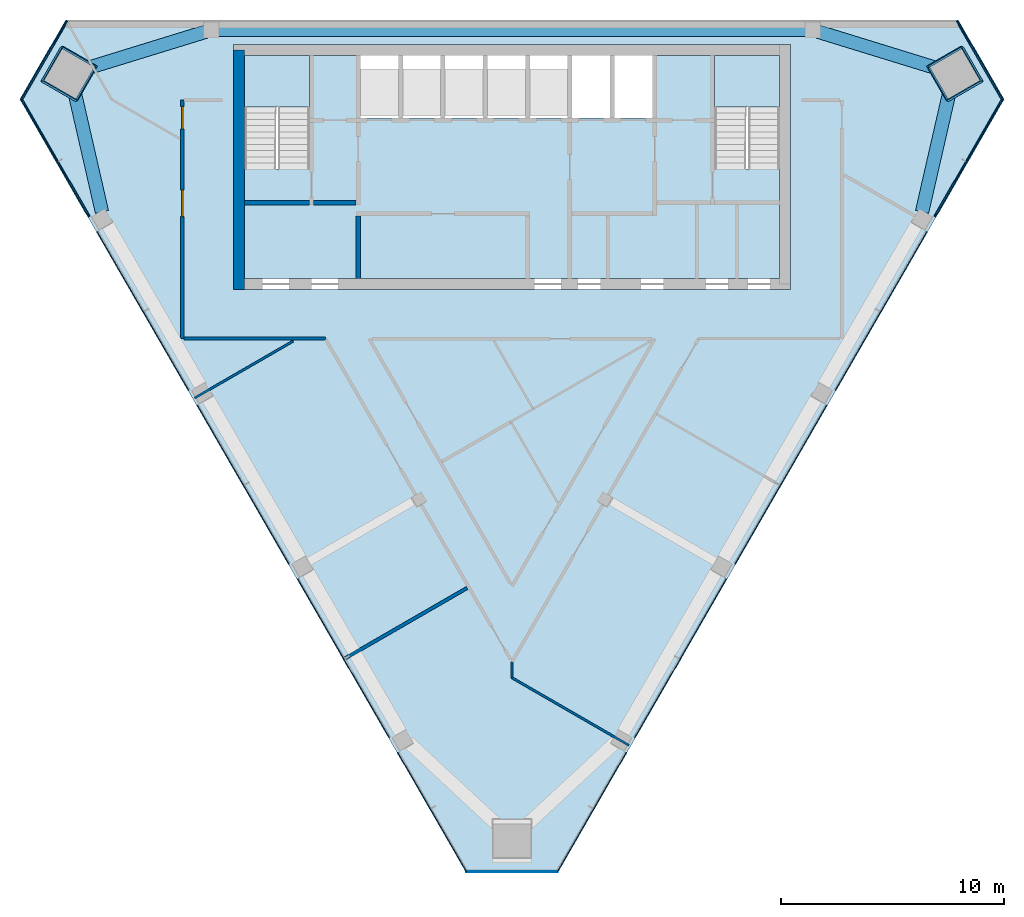
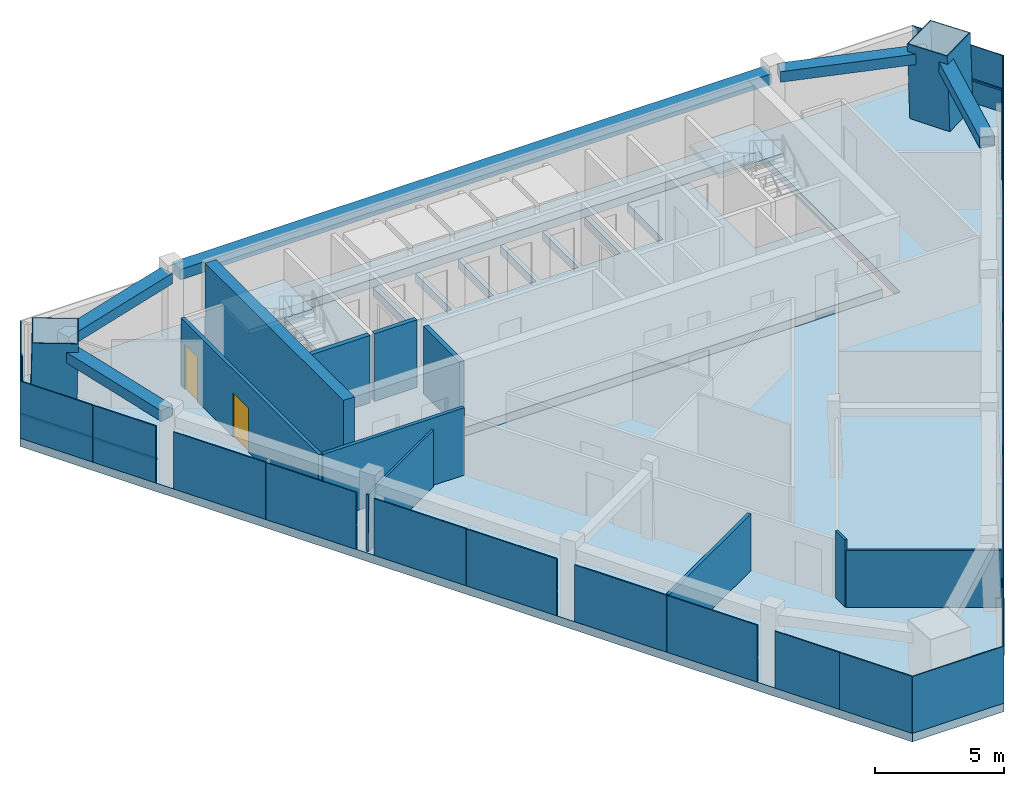
# One storey, part 5 of 9: 23 plates, 10 walls, 6 members, 5 beams, 4 slabs, 2 doors, 2 openings, 7 elements without a shape of their own.
"""IFC4 building model written with IfcOpenShell, lengths in metres."""

from ifc_helpers import new_model, si_unit, direction, frame, frame_2d, origin, origin_2d, place, context, subcontext, project, spatial, polyline, rectangle, hollow_rectangle, outline, extrude, material, layer, layer_set, material_profile, profile_set, type_object, element, fill, aggregate, save


model = new_model("IFC4")

# Units and contexts
model_context = context("Model", 3, precision=1e-05, world=origin(), true_north=direction((0.0, 1.0)))
body_context = subcontext(model_context, "Body", "Model", "MODEL_VIEW")
ifc_project = project(units=[si_unit("LENGTHUNIT", "METRE"), si_unit("AREAUNIT", "SQUARE_METRE"), si_unit("VOLUMEUNIT", "CUBIC_METRE"), si_unit("PLANEANGLEUNIT", "RADIAN"), si_unit("MASSUNIT", "GRAM", prefix="KILO")], contexts=[model_context])

# Site, building, storey
site_placement = place(None, origin())
site = spatial("IfcSite", under=ifc_project, at=site_placement, CompositionType="ELEMENT")
building_placement = place(site_placement, origin())
building = spatial("IfcBuilding", under=site, at=building_placement, Name="Altiplano Prism Tower", CompositionType="ELEMENT")
storey_placement = place(building_placement, frame((0.0, 0.0, 302.199951171875)))
storey = spatial("IfcBuildingStorey", under=building, at=storey_placement, Name="L78", CompositionType="ELEMENT", Elevation=302.199951171875)

# Curtain wall, member
ifc_material_1 = material(Name="Aluminium and glass", Category="aluminium")
ifc_layer_1 = layer(ifc_material_1, 0.303955078125)
ifc_layer_set_1 = layer_set([ifc_layer_1], Name="Aluminium and glass")
curtain_wall_type = type_object("IfcCurtainWallType", Name="CW2 lounge-band unitised glazing", PredefinedType="NOTDEFINED", material=ifc_layer_set_1)
curtain_wall_1_placement = place(storey_placement, origin())
curtain_wall_1 = element("IfcCurtainWall", 1, at=curtain_wall_1_placement, inside=storey, type_object=curtain_wall_type, Name="CW2 curtain wall north-west chamfer L78", PredefinedType="NOTDEFINED")
ifc_material_2 = material(Name="Aluminium", Category="aluminium")
ifc_material_profile_1 = material_profile(ifc_material_2, rectangle(XDim=0.06005859375, YDim=0.080078125, at=origin_2d()), Name="CW2 transom 80 x 60")
ifc_profile_set_1 = profile_set([ifc_material_profile_1], Name="Aluminium")
member_type_1 = type_object("IfcMemberType", Name="CW2 transom 80 x 60", PredefinedType="USERDEFINED", material=ifc_profile_set_1)
member_1_placement = place(storey_placement, frame((65.03662109375, 104.962890625, 1.10009765625), z_axis=(-0.500030520673, -0.866007781949, 0.0), x_axis=(0.866007781949, -0.500030520673, 0.0)))
member_1 = element("IfcMember", 2, at=member_1_placement, type_object=member_type_1, Name="CW2 transom", ObjectType="TRANSOM", PredefinedType="USERDEFINED", context=body_context, shape_type="SweptSolid", body=[
    extrude(rectangle(XDim=0.06005859375, YDim=0.080078125, at=origin_2d()), origin(), (0.0, 0.0, 1.0), 4.115966796875),
])

curtain_wall_2_placement = place(storey_placement, origin())
curtain_wall_2 = element("IfcCurtainWall", 3, at=curtain_wall_2_placement, inside=storey, type_object=curtain_wall_type, Name="CW2 curtain wall south-west face L78", PredefinedType="NOTDEFINED")
member_2_placement = place(storey_placement, frame((62.978515625, 101.472412109375, 1.10009765625), z_axis=(0.500010098872, -0.86601957312, 0.0), x_axis=(0.86601957312, 0.500010098872, 0.0)))
member_2 = element("IfcMember", 4, at=member_2_placement, type_object=member_type_1, Name="CW2 transom", ObjectType="TRANSOM", PredefinedType="USERDEFINED", context=body_context, shape_type="SweptSolid", body=[
    extrude(rectangle(XDim=0.06005859375, YDim=0.080078125, at=origin_2d()), origin(), (0.0, 0.0, 1.0), 6.097900390625),
])

curtain_wall_3_placement = place(storey_placement, origin())
curtain_wall_3 = element("IfcCurtainWall", 5, at=curtain_wall_3_placement, inside=storey, type_object=curtain_wall_type, Name="CW2 curtain wall south-east face L78", PredefinedType="NOTDEFINED")
member_3_placement = place(storey_placement, frame((103.972412109375, 96.19140625, 1.10009765625), z_axis=(0.500010098872, 0.86601957312, 0.0), x_axis=(-0.86601957312, 0.500010098872, 0.0)))
member_3 = element("IfcMember", 6, at=member_3_placement, type_object=member_type_1, Name="CW2 transom", ObjectType="TRANSOM", PredefinedType="USERDEFINED", context=body_context, shape_type="SweptSolid", body=[
    extrude(rectangle(XDim=0.06005859375, YDim=0.080078125, at=origin_2d()), origin(), (0.0, 0.0, 1.0), 6.097900390625),
])

curtain_wall_4_placement = place(storey_placement, origin())
curtain_wall_4 = element("IfcCurtainWall", 7, at=curtain_wall_4_placement, inside=storey, type_object=curtain_wall_type, Name="CW2 curtain wall north-east chamfer L78", PredefinedType="NOTDEFINED")
member_4_placement = place(storey_placement, frame((107.021484375, 101.3984375, 1.10009765625), z_axis=(-0.500030520673, 0.866007781949, 0.0), x_axis=(-0.866007781949, -0.500030520673, 0.0)))
member_4 = element("IfcMember", 8, at=member_4_placement, type_object=member_type_1, Name="CW2 transom", ObjectType="TRANSOM", PredefinedType="USERDEFINED", context=body_context, shape_type="SweptSolid", body=[
    extrude(rectangle(XDim=0.06005859375, YDim=0.080078125, at=origin_2d()), origin(), (0.0, 0.0, 1.0), 4.115966796875),
])

# Beams
ifc_material_3 = material(Name="Concrete C60/75", Category="concrete")
ifc_material_profile_2 = material_profile(ifc_material_3, rectangle(XDim=0.60009765625, YDim=0.5, at=origin_2d()), Name="Edge beam 600x500")
ifc_profile_set_2 = profile_set([ifc_material_profile_2], Name="Concrete C60/75")
beam_type = type_object("IfcBeamType", Name="Edge beam 600x500", PredefinedType="SPANDREL", material=ifc_profile_set_2)
for number, where, z_axis, x_axis, name in (
    (9, (103.406982421875, 96.385986328125, 2.949951171875), (0.222942267812, 0.974831649683, 0.0), (-0.974831649683, 0.222942267812, 0.0), "Edge beam P24-M2 L79"),
    (10, (104.3984375, 102.7333984375, 2.949951171875), (-0.955700581331, 0.294340617047, 0.0), (-0.294340617047, -0.955700581331, 0.0), "Edge beam M2-P01 L79"),
):
    element("IfcBeam", number, at=place(storey_placement, frame(where, z_axis=z_axis, x_axis=x_axis)), inside=storey, type_object=beam_type, Name=name, PredefinedType="SPANDREL", context=body_context, shape_type="SweptSolid", body=[
        extrude(rectangle(XDim=0.60009765625, YDim=0.5, at=origin_2d()), origin(), (0.0, 0.0, 1.0), 5.925537109375),
    ])
beam_placement = place(storey_placement, frame((98.27001953125, 104.550048828125, 2.949951171875), z_axis=(-1.0, 0.0, 0.0), x_axis=(0.0, -1.0, 0.0)))
element("IfcBeam", 11, at=beam_placement, inside=storey, type_object=beam_type, Name="Edge beam P01-P04 L79", PredefinedType="SPANDREL", context=body_context, shape_type="SweptSolid", body=[
    extrude(rectangle(XDim=0.60009765625, YDim=0.5, at=origin_2d()), origin(), (0.0, 0.0, 1.0), 26.5400390625),
])
for number, where, z_axis, x_axis, name in (
    (12, (71.2646484375, 104.4775390625, 2.949951171875), (-0.955700581331, -0.294340617047, 0.0), (0.294340617047, -0.955700581331, 0.0), "Edge beam P04-M0 L79"),
    (13, (65.27197265625, 102.162353515625, 2.949951171875), (0.222942267812, -0.974831649683, 0.0), (0.974831649683, 0.222942267812, 0.0), "Edge beam M0-P11 L79"),
):
    element("IfcBeam", number, at=place(storey_placement, frame(where, z_axis=z_axis, x_axis=x_axis)), inside=storey, type_object=beam_type, Name=name, PredefinedType="SPANDREL", context=body_context, shape_type="SweptSolid", body=[
        extrude(rectangle(XDim=0.60009765625, YDim=0.5, at=origin_2d()), origin(), (0.0, 0.0, 1.0), 5.925537109375),
    ])

# Members
ifc_material_4 = material(Name="Steel S460", Category="steel")
ifc_material_profile_3 = material_profile(ifc_material_4, hollow_rectangle(XDim=1.800048828125, YDim=1.800048828125, WallThickness=0.0400390625, at=origin_2d()), Name="Mega column tube 1800")
ifc_profile_set_3 = profile_set([ifc_material_profile_3], Name="Steel S460")
member_type_2 = type_object("IfcMemberType", Name="Mega column tube 1800", PredefinedType="POST", material=ifc_profile_set_3)
for number, where, z_axis, x_axis, name in (
    (14, (65.0693359375, 102.567626953125, 0.0), (0.028401796786, 0.009286506348, 0.999553449666), (-0.866200496686, 0.499297251293, 0.019973842716), "Mega column tube M0 L78"),
    (15, (104.9306640625, 102.567626953125, 0.0), (-0.028401796786, 0.009286506348, 0.999553449666), (0.498888802721, -0.866380987586, 0.022224915478), "Mega column tube M2 L78"),
):
    element("IfcMember", number, at=place(storey_placement, frame(where, z_axis=z_axis, x_axis=x_axis)), inside=storey, type_object=member_type_2, Name=name, PredefinedType="POST", context=body_context, shape_type="SweptSolid", body=[
        extrude(hollow_rectangle(XDim=1.800048828125, YDim=1.800048828125, WallThickness=0.0400390625, at=origin_2d()), origin(), (0.0, 0.0, 1.0), 3.601806640625),
    ])

# Plate
ifc_material_5 = material(Name="Clear glass", Category="glass")
ifc_layer_2 = layer(ifc_material_5, 0.0439453125)
ifc_layer_set_2 = layer_set([ifc_layer_2], Name="Clear glass")
plate_type = type_object("IfcPlateType", Name="CW2 insulated glass unit 44", PredefinedType="CURTAIN_PANEL", material=ifc_layer_set_2)
plate_1_placement = place(storey_placement, frame((63.962646484375, 103.206787109375, 0.0), z_axis=(0.0, 0.0, 1.0), x_axis=(-0.499999970511, -0.86602542081, 0.0)))
plate_1 = element("IfcPlate", 16, at=plate_1_placement, type_object=plate_type, Name="CW2 panel", PredefinedType="CURTAIN_PANEL", context=body_context, shape_type="SweptSolid", body=[
    extrude(rectangle(XDim=4.10595703125, YDim=0.0439453125, at=origin_2d()), origin(), (0.0, 0.0, 1.0), 2.699951171875),
])

aggregate(curtain_wall_1, [member_1, plate_1])

plate_2_placement = place(storey_placement, frame((63.74951171875, 100.033203125, 0.0), z_axis=(0.0, 0.0, 1.0), x_axis=(0.500000005577, -0.866025400564, 0.0)))
plate_2 = element("IfcPlate", 17, at=plate_2_placement, type_object=plate_type, Name="CW2 panel", PredefinedType="CURTAIN_PANEL", context=body_context, shape_type="SweptSolid", body=[
    extrude(rectangle(XDim=3.253662109375, YDim=0.0439453125, at=origin_2d()), origin(), (0.0, 0.0, 1.0), 2.699951171875),
])

plate_3_placement = place(storey_placement, frame((65.27392578125, 97.392578125, 0.0), z_axis=(0.0, 0.0, 1.0), x_axis=(0.500000005577, -0.866025400564, 0.0)))
plate_3 = element("IfcPlate", 18, at=plate_3_placement, type_object=plate_type, Name="CW2 panel", PredefinedType="CURTAIN_PANEL", context=body_context, shape_type="SweptSolid", body=[
    extrude(rectangle(XDim=2.82421875, YDim=0.0439453125, at=origin_2d()), origin(), (0.0, 0.0, 1.0), 2.699951171875),
])

plate_4_placement = place(storey_placement, frame((67.409912109375, 93.693115234375, 0.0), z_axis=(0.0, 0.0, 1.0), x_axis=(0.500000005577, -0.866025400564, 0.0)))
plate_4 = element("IfcPlate", 19, at=plate_4_placement, type_object=plate_type, Name="CW2 panel", PredefinedType="CURTAIN_PANEL", context=body_context, shape_type="SweptSolid", body=[
    extrude(rectangle(XDim=4.139404296875, YDim=0.0439453125, at=origin_2d()), origin(), (0.0, 0.0, 1.0), 2.699951171875),
])

plate_5_placement = place(storey_placement, frame((69.46484375, 90.1337890625, 0.0), z_axis=(0.0, 0.0, 1.0), x_axis=(0.500000005577, -0.866025400564, 0.0)))
plate_5 = element("IfcPlate", 20, at=plate_5_placement, type_object=plate_type, Name="CW2 panel", PredefinedType="CURTAIN_PANEL", context=body_context, shape_type="SweptSolid", body=[
    extrude(rectangle(XDim=4.060302734375, YDim=0.0439453125, at=origin_2d()), origin(), (0.0, 0.0, 1.0), 2.699951171875),
])

plate_6_placement = place(storey_placement, frame((71.909912109375, 85.89892578125, 0.0), z_axis=(0.0, 0.0, 1.0), x_axis=(0.500000005577, -0.866025400564, 0.0)))
plate_6 = element("IfcPlate", 21, at=plate_6_placement, type_object=plate_type, Name="CW2 panel", PredefinedType="CURTAIN_PANEL", context=body_context, shape_type="SweptSolid", body=[
    extrude(rectangle(XDim=4.139404296875, YDim=0.0439453125, at=origin_2d()), origin(), (0.0, 0.0, 1.0), 2.699951171875),
])

plate_7_placement = place(storey_placement, frame((73.96484375, 82.339599609375, 0.0), z_axis=(0.0, 0.0, 1.0), x_axis=(0.500000005577, -0.866025400564, 0.0)))
plate_7 = element("IfcPlate", 22, at=plate_7_placement, type_object=plate_type, Name="CW2 panel", PredefinedType="CURTAIN_PANEL", context=body_context, shape_type="SweptSolid", body=[
    extrude(rectangle(XDim=4.060302734375, YDim=0.0439453125, at=origin_2d()), origin(), (0.0, 0.0, 1.0), 2.699951171875),
])

plate_8_placement = place(storey_placement, frame((76.409912109375, 78.104736328125, 0.0), z_axis=(0.0, 0.0, 1.0), x_axis=(0.500000005577, -0.866025400564, 0.0)))
plate_8 = element("IfcPlate", 23, at=plate_8_placement, type_object=plate_type, Name="CW2 panel", PredefinedType="CURTAIN_PANEL", context=body_context, shape_type="SweptSolid", body=[
    extrude(rectangle(XDim=4.139404296875, YDim=0.0439453125, at=origin_2d()), origin(), (0.0, 0.0, 1.0), 2.699951171875),
])

plate_9_placement = place(storey_placement, frame((78.46484375, 74.54541015625, 0.0), z_axis=(0.0, 0.0, 1.0), x_axis=(0.500000005577, -0.866025400564, 0.0)))
plate_9 = element("IfcPlate", 24, at=plate_9_placement, type_object=plate_type, Name="CW2 panel", PredefinedType="CURTAIN_PANEL", context=body_context, shape_type="SweptSolid", body=[
    extrude(rectangle(XDim=4.060302734375, YDim=0.0439453125, at=origin_2d()), origin(), (0.0, 0.0, 1.0), 2.699951171875),
])

plate_10_placement = place(storey_placement, frame((80.600830078125, 70.845703125, 0.0), z_axis=(0.0, 0.0, 1.0), x_axis=(0.500000005577, -0.866025400564, 0.0)))
plate_10 = element("IfcPlate", 25, at=plate_10_placement, type_object=plate_type, Name="CW2 panel", PredefinedType="CURTAIN_PANEL", context=body_context, shape_type="SweptSolid", body=[
    extrude(rectangle(XDim=2.9033203125, YDim=0.0439453125, at=origin_2d()), origin(), (0.0, 0.0, 1.0), 2.699951171875),
])

plate_11_placement = place(storey_placement, frame((82.14501953125, 68.1708984375, 0.0), z_axis=(0.0, 0.0, 1.0), x_axis=(0.500000005577, -0.866025400564, 0.0)))
plate_11 = element("IfcPlate", 26, at=plate_11_placement, type_object=plate_type, Name="CW2 panel", PredefinedType="CURTAIN_PANEL", context=body_context, shape_type="SweptSolid", body=[
    extrude(rectangle(XDim=3.253662109375, YDim=0.0439453125, at=origin_2d()), origin(), (0.0, 0.0, 1.0), 2.699951171875),
])

aggregate(curtain_wall_2, [member_2, plate_2, plate_3, plate_4, plate_5, plate_6, plate_7, plate_8, plate_9, plate_10, plate_11])

# Curtain wall, plate
curtain_wall_5_placement = place(storey_placement, origin())
curtain_wall_5 = element("IfcCurtainWall", 27, at=curtain_wall_5_placement, inside=storey, type_object=curtain_wall_type, Name="CW2 curtain wall south chamfer L78", PredefinedType="NOTDEFINED")
plate_12_placement = place(storey_placement, frame((85.0, 66.768798828125, 0.0), z_axis=(0.0, 0.0, 1.0), x_axis=(1.0, 0.0, 0.0)))
plate_12 = element("IfcPlate", 28, at=plate_12_placement, type_object=plate_type, Name="CW2 panel", PredefinedType="CURTAIN_PANEL", context=body_context, shape_type="SweptSolid", body=[
    extrude(rectangle(XDim=4.10595703125, YDim=0.0439453125, at=origin_2d()), origin(), (0.0, 0.0, 1.0), 2.699951171875),
])
aggregate(curtain_wall_5, [plate_12])

# Plate
plate_13_placement = place(storey_placement, frame((87.85498046875, 68.1708984375, 0.0), z_axis=(0.0, 0.0, 1.0), x_axis=(0.500000005577, 0.866025400564, 0.0)))
plate_13 = element("IfcPlate", 29, at=plate_13_placement, type_object=plate_type, Name="CW2 panel", PredefinedType="CURTAIN_PANEL", context=body_context, shape_type="SweptSolid", body=[
    extrude(rectangle(XDim=3.253662109375, YDim=0.0439453125, at=origin_2d()), origin(), (0.0, 0.0, 1.0), 2.699951171875),
])

plate_14_placement = place(storey_placement, frame((89.399169921875, 70.845703125, 0.0), z_axis=(0.0, 0.0, 1.0), x_axis=(0.500000005577, 0.866025400564, 0.0)))
plate_14 = element("IfcPlate", 30, at=plate_14_placement, type_object=plate_type, Name="CW2 panel", PredefinedType="CURTAIN_PANEL", context=body_context, shape_type="SweptSolid", body=[
    extrude(rectangle(XDim=2.9033203125, YDim=0.0439453125, at=origin_2d()), origin(), (0.0, 0.0, 1.0), 2.699951171875),
])

plate_15_placement = place(storey_placement, frame((91.53515625, 74.54541015625, 0.0), z_axis=(0.0, 0.0, 1.0), x_axis=(0.500000005577, 0.866025400564, 0.0)))
plate_15 = element("IfcPlate", 31, at=plate_15_placement, type_object=plate_type, Name="CW2 panel", PredefinedType="CURTAIN_PANEL", context=body_context, shape_type="SweptSolid", body=[
    extrude(rectangle(XDim=4.060302734375, YDim=0.0439453125, at=origin_2d()), origin(), (0.0, 0.0, 1.0), 2.699951171875),
])

plate_16_placement = place(storey_placement, frame((93.590087890625, 78.104736328125, 0.0), z_axis=(0.0, 0.0, 1.0), x_axis=(0.500000005577, 0.866025400564, 0.0)))
plate_16 = element("IfcPlate", 32, at=plate_16_placement, type_object=plate_type, Name="CW2 panel", PredefinedType="CURTAIN_PANEL", context=body_context, shape_type="SweptSolid", body=[
    extrude(rectangle(XDim=4.139404296875, YDim=0.0439453125, at=origin_2d()), origin(), (0.0, 0.0, 1.0), 2.699951171875),
])

plate_17_placement = place(storey_placement, frame((96.03515625, 82.339599609375, 0.0), z_axis=(0.0, 0.0, 1.0), x_axis=(0.500000005577, 0.866025400564, 0.0)))
plate_17 = element("IfcPlate", 33, at=plate_17_placement, type_object=plate_type, Name="CW2 panel", PredefinedType="CURTAIN_PANEL", context=body_context, shape_type="SweptSolid", body=[
    extrude(rectangle(XDim=4.060302734375, YDim=0.0439453125, at=origin_2d()), origin(), (0.0, 0.0, 1.0), 2.699951171875),
])

plate_18_placement = place(storey_placement, frame((98.090087890625, 85.89892578125, 0.0), z_axis=(0.0, 0.0, 1.0), x_axis=(0.500000005577, 0.866025400564, 0.0)))
plate_18 = element("IfcPlate", 34, at=plate_18_placement, type_object=plate_type, Name="CW2 panel", PredefinedType="CURTAIN_PANEL", context=body_context, shape_type="SweptSolid", body=[
    extrude(rectangle(XDim=4.139404296875, YDim=0.0439453125, at=origin_2d()), origin(), (0.0, 0.0, 1.0), 2.699951171875),
])

plate_19_placement = place(storey_placement, frame((100.53515625, 90.1337890625, 0.0), z_axis=(0.0, 0.0, 1.0), x_axis=(0.500000005577, 0.866025400564, 0.0)))
plate_19 = element("IfcPlate", 35, at=plate_19_placement, type_object=plate_type, Name="CW2 panel", PredefinedType="CURTAIN_PANEL", context=body_context, shape_type="SweptSolid", body=[
    extrude(rectangle(XDim=4.060302734375, YDim=0.0439453125, at=origin_2d()), origin(), (0.0, 0.0, 1.0), 2.699951171875),
])

plate_20_placement = place(storey_placement, frame((102.590087890625, 93.693115234375, 0.0), z_axis=(0.0, 0.0, 1.0), x_axis=(0.500000005577, 0.866025400564, 0.0)))
plate_20 = element("IfcPlate", 36, at=plate_20_placement, type_object=plate_type, Name="CW2 panel", PredefinedType="CURTAIN_PANEL", context=body_context, shape_type="SweptSolid", body=[
    extrude(rectangle(XDim=4.139404296875, YDim=0.0439453125, at=origin_2d()), origin(), (0.0, 0.0, 1.0), 2.699951171875),
])

plate_21_placement = place(storey_placement, frame((104.72607421875, 97.392578125, 0.0), z_axis=(0.0, 0.0, 1.0), x_axis=(0.500000005577, 0.866025400564, 0.0)))
plate_21 = element("IfcPlate", 37, at=plate_21_placement, type_object=plate_type, Name="CW2 panel", PredefinedType="CURTAIN_PANEL", context=body_context, shape_type="SweptSolid", body=[
    extrude(rectangle(XDim=2.82421875, YDim=0.0439453125, at=origin_2d()), origin(), (0.0, 0.0, 1.0), 2.699951171875),
])

plate_22_placement = place(storey_placement, frame((106.25048828125, 100.033203125, 0.0), z_axis=(0.0, 0.0, 1.0), x_axis=(0.500000005577, 0.866025400564, 0.0)))
plate_22 = element("IfcPlate", 38, at=plate_22_placement, type_object=plate_type, Name="CW2 panel", PredefinedType="CURTAIN_PANEL", context=body_context, shape_type="SweptSolid", body=[
    extrude(rectangle(XDim=3.253662109375, YDim=0.0439453125, at=origin_2d()), origin(), (0.0, 0.0, 1.0), 2.699951171875),
])

aggregate(curtain_wall_3, [plate_13, plate_14, plate_15, plate_16, plate_17, plate_18, plate_19, plate_20, member_3, plate_21, plate_22])

plate_23_placement = place(storey_placement, frame((106.037353515625, 103.206787109375, 0.0), z_axis=(0.0, 0.0, 1.0), x_axis=(-0.499999970511, 0.86602542081, 0.0)))
plate_23 = element("IfcPlate", 39, at=plate_23_placement, type_object=plate_type, Name="CW2 panel", PredefinedType="CURTAIN_PANEL", context=body_context, shape_type="SweptSolid", body=[
    extrude(rectangle(XDim=4.10595703125, YDim=0.0439453125, at=origin_2d()), origin(), (0.0, 0.0, 1.0), 2.699951171875),
])

aggregate(curtain_wall_4, [member_4, plate_23])

# Slabs
ifc_material_6 = material(Name="Concrete C40/50", Category="concrete")
ifc_layer_3 = layer(ifc_material_6, 0.39990234375)
ifc_layer_set_3 = layer_set([ifc_layer_3], Name="Concrete C40/50")
slab_type_1 = type_object("IfcSlabType", Name="Core floor slab 400", PredefinedType="FLOOR", material=ifc_layer_set_3)
slab_1_placement = place(storey_placement, frame((0.0, 0.0, -0.39990234375)))
element("IfcSlab", 40, at=slab_1_placement, inside=storey, type_object=slab_type_1, Name="Core floor slab L78", PredefinedType="FLOOR", context=body_context, shape_type="SweptSolid", body=[
    extrude(outline(polyline([(97.0, 98.31005859375), (94.10009765625, 98.31005859375), (94.10009765625, 103.39990234375), (91.300048828125, 103.39990234375), (91.300048828125, 100.60009765625), (89.60009765625, 100.60009765625), (89.60009765625, 103.39990234375), (89.39990234375, 103.39990234375), (89.39990234375, 100.60009765625), (87.699951171875, 100.60009765625), (87.699951171875, 103.39990234375), (87.5, 103.39990234375), (87.5, 100.60009765625), (85.800048828125, 100.60009765625), (85.800048828125, 103.39990234375), (85.60009765625, 103.39990234375), (85.60009765625, 100.60009765625), (83.89990234375, 100.60009765625), (83.89990234375, 103.39990234375), (83.699951171875, 103.39990234375), (83.699951171875, 100.60009765625), (82.0, 100.60009765625), (82.0, 103.39990234375), (81.800048828125, 103.39990234375), (81.800048828125, 100.60009765625), (80.10009765625, 100.60009765625), (80.10009765625, 103.39990234375), (79.89990234375, 103.39990234375), (79.89990234375, 100.60009765625), (78.199951171875, 100.60009765625), (78.199951171875, 103.39990234375), (75.89990234375, 103.39990234375), (75.89990234375, 98.31005859375), (73.0, 98.31005859375), (73.0, 93.39990234375), (97.0, 93.39990234375), (97.0, 98.31005859375)])), origin(), (0.0, 0.0, 1.0), 0.39990234375),
])
ifc_layer_4 = layer(ifc_material_6, 0.39990234375)
ifc_layer_set_4 = layer_set([ifc_layer_4], Name="Concrete C40/50")
slab_type_2 = type_object("IfcSlabType", Name="Post-tensioned flat slab 400", PredefinedType="FLOOR", material=ifc_layer_set_4)
slab_2_placement = place(storey_placement, frame((0.0, 0.0, -0.39990234375)))
element("IfcSlab", 41, at=slab_2_placement, inside=storey, type_object=slab_type_2, Name="Floor slab L78", PredefinedType="FLOOR", context=body_context, shape_type="SweptSolid", body=[
    extrude(outline(polyline([(107.08544921875, 101.435302734375), (87.05810546875, 66.746826171875), (82.94189453125, 66.746826171875), (62.91455078125, 101.435302734375), (64.972412109375, 105.0), (105.027587890625, 105.0), (107.08544921875, 101.435302734375)]), holes=[polyline([(97.5, 92.89990234375), (97.5, 103.89990234375), (72.5, 103.89990234375), (72.5, 92.89990234375), (97.5, 92.89990234375)])]), origin(), (0.0, 0.0, 1.0), 0.39990234375),
])

# Stair, slab
stair_type = type_object("IfcStairType", Name="Exit stair 1400", PredefinedType="HALF_TURN_STAIR", material=ifc_material_6)
stair_1_placement = place(storey_placement, origin())
stair_1 = element("IfcStair", 42, at=stair_1_placement, inside=storey, type_object=stair_type, Name="L78 Exit Stair 1", PredefinedType="HALF_TURN_STAIR")
ifc_layer_5 = layer(ifc_material_6, 0.199951171875)
ifc_layer_set_5 = layer_set([ifc_layer_5], Name="Concrete C40/50")
slab_type_3 = type_object("IfcSlabType", Name="Stair landing 200", PredefinedType="LANDING", material=ifc_layer_set_5)
slab_3_placement = place(storey_placement, frame((0.0, 0.0, 1.60009765625)))
slab_3 = element("IfcSlab", 43, at=slab_3_placement, type_object=slab_type_3, Name="ST1 landing 1", PredefinedType="LANDING", context=body_context, shape_type="SweptSolid", body=[
    extrude(outline(polyline([(75.89990234375, 101.096923828125), (75.89990234375, 103.39990234375), (73.0, 103.39990234375), (73.0, 101.096923828125), (75.89990234375, 101.096923828125)])), origin(), (0.0, 0.0, 1.0), 0.199951171875),
])
aggregate(stair_1, [slab_3])

stair_2_placement = place(storey_placement, origin())
stair_2 = element("IfcStair", 44, at=stair_2_placement, inside=storey, type_object=stair_type, Name="L78 Exit Stair 2", PredefinedType="HALF_TURN_STAIR")
slab_4_placement = place(storey_placement, frame((0.0, 0.0, 1.60009765625)))
slab_4 = element("IfcSlab", 45, at=slab_4_placement, type_object=slab_type_3, Name="ST2 landing 1", PredefinedType="LANDING", context=body_context, shape_type="SweptSolid", body=[
    extrude(outline(polyline([(97.0, 101.096923828125), (97.0, 103.39990234375), (94.10009765625, 103.39990234375), (94.10009765625, 101.096923828125), (97.0, 101.096923828125)])), origin(), (0.0, 0.0, 1.0), 0.199951171875),
])
aggregate(stair_2, [slab_4])

# Walls
ifc_layer_6 = layer(ifc_material_3, 0.5)
ifc_layer_set_6 = layer_set([ifc_layer_6], Name="Concrete C60/75")
wall_type_1 = type_object("IfcWallType", Name="Core wall 500", PredefinedType="SHEAR", material=ifc_layer_set_6)
wall_1_placement = place(storey_placement, frame((72.75, 103.64990234375, 0.0), z_axis=(0.0, 0.0, 1.0), x_axis=(0.0, -1.0, 0.0)))
element("IfcWall", 46, at=wall_1_placement, inside=storey, type_object=wall_type_1, Name="Core wall W L78", PredefinedType="SHEAR", context=body_context, shape_type="SweptSolid", body=[
    extrude(rectangle(XDim=10.75, YDim=0.5, at=frame_2d((5.375, 0.0))), origin(), (0.0, 0.0, 1.0), 3.60009765625),
])
ifc_material_7 = material(Name="Plasterboard on steel stud", Category="steel")
ifc_layer_7 = layer(ifc_material_7, 0.10009765625)
ifc_layer_set_7 = layer_set([ifc_layer_7], Name="Plasterboard on steel stud")
wall_type_2 = type_object("IfcWallType", Name="Partition 100 wet", PredefinedType="PARTITIONING", material=ifc_layer_set_7)
wall_2_placement = place(storey_placement, frame((70.764892578125, 88.0380859375, 0.0), z_axis=(0.0, 0.0, 1.0), x_axis=(0.866010557596, 0.500025713471, 0.0)))
element("IfcWall", 47, at=wall_2_placement, inside=storey, type_object=wall_type_2, Name="Partition P03 L78 016", PredefinedType="PARTITIONING", context=body_context, shape_type="SweptSolid", body=[
    extrude(rectangle(XDim=5.087158203125, YDim=0.10009765625, at=frame_2d((2.54345703125, 0.0))), origin(), (0.0, 0.0, 1.0), 2.699951171875),
])
wall_3_placement = place(storey_placement, frame((90.235107421875, 72.44970703125, 0.0), z_axis=(0.0, 0.0, 1.0), x_axis=(-0.866027534236, 0.499996309931, 0.0)))
element("IfcWall", 48, at=wall_3_placement, inside=storey, type_object=wall_type_2, Name="Partition P03 L78 020", PredefinedType="PARTITIONING", context=body_context, shape_type="SweptSolid", body=[
    extrude(rectangle(XDim=6.044921875, YDim=0.10009765625, at=frame_2d((3.0224609375, 0.0))), origin(), (0.0, 0.0, 1.0), 2.699951171875),
])
wall_4_placement = place(storey_placement, frame((85.0, 75.47216796875, 0.0), z_axis=(0.0, 0.0, 1.0), x_axis=(0.0, 1.0, 0.0)))
element("IfcWall", 49, at=wall_4_placement, inside=storey, type_object=wall_type_2, Name="Partition P03 L78 021", PredefinedType="PARTITIONING", context=body_context, shape_type="SweptSolid", body=[
    extrude(rectangle(XDim=0.7099609375, YDim=0.10009765625, at=frame_2d((0.35498046875, 0.0))), origin(), (0.0, 0.0, 1.0), 3.199951171875),
])

# Wall, openings, doors
ifc_layer_8 = layer(ifc_material_7, 0.14990234375)
ifc_layer_set_8 = layer_set([ifc_layer_8], Name="Plasterboard on steel stud")
wall_type_3 = type_object("IfcWallType", Name="Partition 150 corridor", PredefinedType="PARTITIONING", material=ifc_layer_set_8)
wall_5_placement = place(storey_placement, frame((70.19921875, 101.400634765625, 0.0), z_axis=(0.0, 0.0, 1.0), x_axis=(6.844627e-05, -0.999999997658, 0.0)))
wall_5 = element("IfcWall", 50, at=wall_5_placement, inside=storey, type_object=wall_type_3, Name="Partition P06 L78 003", PredefinedType="PARTITIONING", context=body_context, shape_type="SweptSolid", body=[
    extrude(rectangle(XDim=10.70068359375, YDim=0.14990234375, at=frame_2d((5.350341796875, 0.0))), origin(), (0.0, 0.0, 1.0), 3.199951171875),
])
opening_1_placement = place(wall_5_placement, frame((4.031982421875, 0.0, 0.0)))
opening_1 = element("IfcOpeningElement", 51, at=opening_1_placement, cuts=wall_5, Name="Opening D2361", PredefinedType="OPENING", context=body_context, shape_type="SweptSolid", body=[
    extrude(rectangle(XDim=1.199951171875, YDim=2.10009765625, at=frame_2d((0.60009765625, 1.050048828125))), frame((0.0, 0.08544921875, 0.0), z_axis=(0.0, -1.0, 0.0), x_axis=(1.0, 0.0, 0.0)), (0.0, 0.0, 1.0), 0.1708984375),
])
opening_2_placement = place(wall_5_placement, frame((0.282958984375, 0.0, 0.0)))
opening_2 = element("IfcOpeningElement", 52, at=opening_2_placement, cuts=wall_5, Name="Opening D2367", PredefinedType="OPENING", context=body_context, shape_type="SweptSolid", body=[
    extrude(rectangle(XDim=1.0, YDim=2.10009765625, at=frame_2d((0.5, 1.050048828125))), frame((0.0, 0.08544921875, 0.0), z_axis=(0.0, -1.0, 0.0), x_axis=(1.0, 0.0, 0.0)), (0.0, 0.0, 1.0), 0.1708984375),
])
ifc_material_8 = material(Name="Timber", Category="wood")
door_type_1 = type_object("IfcDoorType", Name="Room door 1000 x 2100", OperationType="NOTDEFINED", PredefinedType="NOTDEFINED", material=ifc_material_8)
door_1_placement = place(opening_2_placement, origin())
door_1 = element("IfcDoor", 53, at=door_1_placement, inside=storey, type_object=door_type_1, Name="Door D2367", OperationType="SINGLE_SWING_LEFT", OverallHeight=2.10009765625, OverallWidth=1.0, PredefinedType="NOTDEFINED", context=body_context, shape_type="SweptSolid", body=[
    extrude(rectangle(XDim=1.0, YDim=2.10009765625, at=frame_2d((0.5, 1.050048828125))), frame((0.0, 0.02490234375, 0.0), z_axis=(0.0, -1.0, 0.0), x_axis=(1.0, 0.0, 0.0)), (0.0, 0.0, 1.0), 0.050048828125),
])
fill(opening_2, door_1)
door_type_2 = type_object("IfcDoorType", Name="Shared room door 1200 x 2100", OperationType="NOTDEFINED", PredefinedType="NOTDEFINED", material=ifc_material_8)
door_2_placement = place(opening_1_placement, origin())
door_2 = element("IfcDoor", 54, at=door_2_placement, inside=storey, type_object=door_type_2, Name="Door D2361", OperationType="SINGLE_SWING_RIGHT", OverallHeight=2.10009765625, OverallWidth=1.199951171875, PredefinedType="NOTDEFINED", context=body_context, shape_type="SweptSolid", body=[
    extrude(rectangle(XDim=1.199951171875, YDim=2.10009765625, at=frame_2d((0.60009765625, 1.050048828125))), frame((0.0, 0.02490234375, 0.0), z_axis=(0.0, -1.0, 0.0), x_axis=(1.0, 0.0, 0.0)), (0.0, 0.0, 1.0), 0.050048828125),
])
fill(opening_1, door_2)

# Walls
wall_6_placement = place(storey_placement, frame((70.27490234375, 90.699951171875, 0.0), z_axis=(0.0, 0.0, 1.0), x_axis=(1.0, 0.0, 0.0)))
element("IfcWall", 55, at=wall_6_placement, inside=storey, type_object=wall_type_3, Name="Partition P06 L78 004", PredefinedType="PARTITIONING", context=body_context, shape_type="SweptSolid", body=[
    extrude(rectangle(XDim=6.34326171875, YDim=0.14990234375, at=frame_2d((3.171630859375, 0.0))), origin(), (0.0, 0.0, 1.0), 3.199951171875),
])
ifc_layer_9 = layer(ifc_material_7, 0.14990234375)
ifc_layer_set_9 = layer_set([ifc_layer_9], Name="Plasterboard on steel stud")
wall_type_4 = type_object("IfcWallType", Name="Partition 150 party", PredefinedType="PARTITIONING", material=ifc_layer_set_9)
wall_7_placement = place(storey_placement, frame((77.514892578125, 76.346923828125, 0.0), z_axis=(0.0, 0.0, 1.0), x_axis=(0.866032601554, 0.49998753289, 0.0)))
element("IfcWall", 56, at=wall_7_placement, inside=storey, type_object=wall_type_4, Name="Partition P01 L78 019", PredefinedType="PARTITIONING", context=body_context, shape_type="SweptSolid", body=[
    extrude(rectangle(XDim=6.324951171875, YDim=0.14990234375, at=frame_2d((3.16259765625, 0.0))), origin(), (0.0, 0.0, 1.0), 2.699951171875),
])
ifc_layer_10 = layer(ifc_material_3, 0.199951171875)
ifc_layer_set_10 = layer_set([ifc_layer_10], Name="Concrete C60/75")
wall_type_5 = type_object("IfcWallType", Name="Stair wall 200", PredefinedType="SOLIDWALL", material=ifc_layer_set_10)
wall_8_placement = place(storey_placement, frame((73.0, 96.800048828125, 0.0), z_axis=(0.0, 0.0, 1.0), x_axis=(1.0, 0.0, 0.0)))
element("IfcWall", 57, at=wall_8_placement, inside=storey, type_object=wall_type_5, Name="Stair wall L78", PredefinedType="SOLIDWALL", context=body_context, shape_type="SweptSolid", body=[
    extrude(rectangle(XDim=2.89990234375, YDim=0.199951171875, at=frame_2d((1.449951171875, 0.0))), origin(), (0.0, 0.0, 1.0), 3.199951171875),
])
ifc_layer_11 = layer(ifc_material_3, 0.199951171875)
ifc_layer_set_11 = layer_set([ifc_layer_11], Name="Concrete C60/75")
wall_type_6 = type_object("IfcWallType", Name="Vestibule wall 200", PredefinedType="PARTITIONING", material=ifc_layer_set_11)
wall_9_placement = place(storey_placement, frame((78.10009765625, 93.39990234375, 0.0), z_axis=(0.0, 0.0, 1.0), x_axis=(0.0, 1.0, 0.0)))
element("IfcWall", 58, at=wall_9_placement, inside=storey, type_object=wall_type_6, Name="Vestibule wall L78", PredefinedType="PARTITIONING", context=body_context, shape_type="SweptSolid", body=[
    extrude(rectangle(XDim=2.800048828125, YDim=0.199951171875, at=frame_2d((1.39990234375, 0.0))), origin(), (0.0, 0.0, 1.0), 3.199951171875),
])
wall_10_placement = place(storey_placement, frame((76.10009765625, 96.800048828125, 0.0), z_axis=(0.0, 0.0, 1.0), x_axis=(1.0, 0.0, 0.0)))
element("IfcWall", 59, at=wall_10_placement, inside=storey, type_object=wall_type_6, Name="Vestibule wall L78", PredefinedType="PARTITIONING", context=body_context, shape_type="SweptSolid", body=[
    extrude(rectangle(XDim=1.89990234375, YDim=0.199951171875, at=frame_2d((0.949951171875, 0.0))), origin(), (0.0, 0.0, 1.0), 3.199951171875),
])

save(model, "model.ifc")
